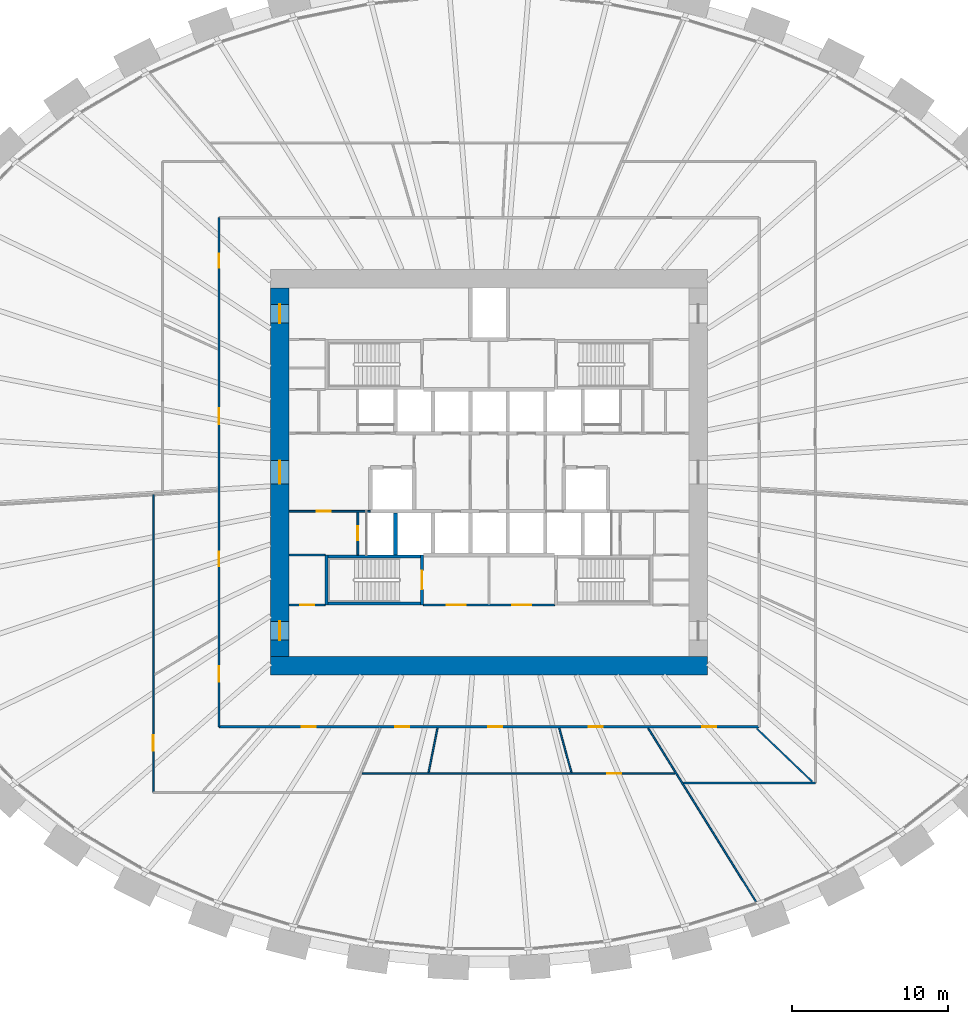
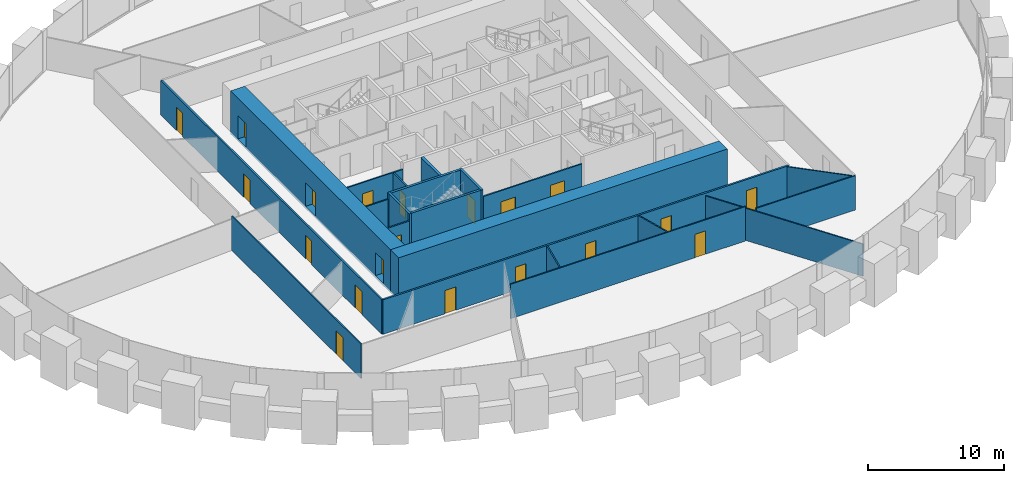
# One storey, part 6 of 10: 21 walls, 20 doors, 20 openings.
"""IFC4 building model written with IfcOpenShell, lengths in metres."""

import ifcopenshell
import ifcopenshell.guid

model = None  # the IFC model being written
_history = None  # IfcOwnerHistory: only IFC2X3 demands one
_inside = {}  # id of a spatial element -> (the spatial element, [elements in it])
_under = {}  # id of a project, library or spatial element -> (it, [spatial elements below it])
_declared = {}  # id of a project -> (the project, [libraries it declares])
_typed = {}  # id of a type object -> (the type object, [elements of that type])
_made_of = {}  # id of a material, layer set ... -> (it, [elements and type objects made of it])


def new_model(schema):
    """Start an empty IFC model of exactly this schema.

    Asked for "IFC4X3", IfcOpenShell would pick the latest addendum, in which some entities
    have other attributes; the version numbers below select the first issue.
    IFC2X3 requires an IfcOwnerHistory on every rooted entity: one is made here for all.
    """
    global model, _history
    if schema == "IFC4X3":
        model = ifcopenshell.file(schema_version=(4, 3, 0, 0))
    else:
        model = ifcopenshell.file(schema=schema)
    _inside.clear()
    _under.clear()
    _declared.clear()
    _typed.clear()
    _made_of.clear()
    _history = None
    if model.schema == "IFC2X3":
        org = make("IfcOrganization", Name="unknown")
        user = make(
            "IfcPersonAndOrganization",
            ThePerson=make("IfcPerson", FamilyName="unknown"),
            TheOrganization=org,
        )
        app = make(
            "IfcApplication",
            ApplicationDeveloper=org,
            Version="unknown",
            ApplicationFullName="unknown",
            ApplicationIdentifier="unknown",
        )
        _history = make(
            "IfcOwnerHistory",
            OwningUser=user,
            OwningApplication=app,
            ChangeAction="ADDED",
            CreationDate=0,
        )
    return model


def make(cls, **values):
    """One entity of the class cls with the attributes given. An attribute that is None is left unset."""
    return model.create_entity(
        cls, **{name: value for name, value in values.items() if value is not None}
    )


def rooted(cls, **values):
    """An entity with a GlobalId (a new one), such as an element, a storey or a relation."""
    return make(cls, GlobalId=ifcopenshell.guid.new(), OwnerHistory=_history, **values)


def si_unit(unit_type, name, prefix=None):
    """IfcSIUnit, for example si_unit("LENGTHUNIT", "METRE", prefix="MILLI")."""
    return make("IfcSIUnit", UnitType=unit_type, Prefix=prefix, Name=name)


def assignment(units):
    """IfcUnitAssignment: the units of a project."""
    return None if units is None else make("IfcUnitAssignment", Units=units)


def point(xyz):
    """IfcCartesianPoint."""
    return None if xyz is None else make("IfcCartesianPoint", Coordinates=xyz)


def direction(xyz):
    """IfcDirection."""
    return None if xyz is None else make("IfcDirection", DirectionRatios=xyz)


def frame(location, z_axis=None, x_axis=None):
    """IfcAxis2Placement3D, a coordinate frame: its origin and axes. An axis left out is left unset."""
    return make(
        "IfcAxis2Placement3D",
        Location=point(location),
        Axis=direction(z_axis),
        RefDirection=direction(x_axis),
    )


def frame_2d(location, x_axis=None):
    """IfcAxis2Placement2D, a coordinate frame in the plane: its origin and x axis."""
    return make(
        "IfcAxis2Placement2D", Location=point(location), RefDirection=direction(x_axis)
    )


def origin():
    """The frame at (0, 0, 0) with its axes left unset."""
    return frame((0.0, 0.0, 0.0))


def place(relative_to, where):
    """IfcLocalPlacement: puts the frame where relative to a parent placement (None: the world)."""
    return make(
        "IfcLocalPlacement", PlacementRelTo=relative_to, RelativePlacement=where
    )


def context(
    kind, dimensions, precision=None, world=None, true_north=None, identifier=None
):
    """IfcGeometricRepresentationContext, for example the 3D "Model" context."""
    return make(
        "IfcGeometricRepresentationContext",
        ContextIdentifier=identifier,
        ContextType=kind,
        CoordinateSpaceDimension=dimensions,
        Precision=precision,
        WorldCoordinateSystem=world,
        TrueNorth=true_north,
    )


def subcontext(parent, identifier, kind, view, scale=None):
    """IfcGeometricRepresentationSubContext, for example "Body" below "Model"."""
    return make(
        "IfcGeometricRepresentationSubContext",
        ContextIdentifier=identifier,
        ContextType=kind,
        ParentContext=parent,
        TargetScale=scale,
        TargetView=view,
    )


def project(units=None, contexts=None):
    """IfcProject with its units and contexts."""
    return rooted(
        "IfcProject",
        Name="project",
        RepresentationContexts=contexts,
        UnitsInContext=assignment(units),
    )


def spatial(cls, under=None, at=None, **own):
    """A site, building, storey or space (cls), placed at a placement, below another one or the project."""
    s = rooted(cls, ObjectPlacement=at, **own)
    if under is not None:
        _under.setdefault(under.id(), (under, []))[1].append(s)
    return s


def profile(cls, at=None, kind="AREA", **sizes):
    """A parametric profile (cls). Its sizes go by their IFC names, for example OverallWidth=200.0."""
    return make(cls, ProfileType=kind, Position=at, **sizes)


def rectangle(**sizes):
    """IfcRectangleProfileDef."""
    return profile("IfcRectangleProfileDef", **sizes)


def extrude(swept, where, along, depth):
    """IfcExtrudedAreaSolid: the profile swept, set in the frame where, extruded along a direction by depth."""
    return make(
        "IfcExtrudedAreaSolid",
        SweptArea=swept,
        Position=where,
        ExtrudedDirection=direction(along),
        Depth=depth,
    )


def shape(context_of_items, identifier, shape_type, items):
    """IfcShapeRepresentation: the items that make up one representation, for example the "Body"."""
    return make(
        "IfcShapeRepresentation",
        ContextOfItems=context_of_items,
        RepresentationIdentifier=identifier,
        RepresentationType=shape_type,
        Items=items,
    )


def source(mapping_origin, context_of_items, identifier, shape_type, items):
    """IfcRepresentationMap: a shape defined once, which mapped items show again and again."""
    return make(
        "IfcRepresentationMap",
        MappingOrigin=mapping_origin,
        MappedRepresentation=shape(context_of_items, identifier, shape_type, items),
    )


def transform(
    local_origin,
    x_axis=None,
    y_axis=None,
    z_axis=None,
    scale=None,
    scale2=None,
    scale3=None,
    uniform=True,
):
    """IfcCartesianTransformationOperator3D, or its non-uniform kind. x_axis, y_axis, z_axis: its Axis1, 2, 3."""
    if uniform:
        return make(
            "IfcCartesianTransformationOperator3D",
            Axis1=direction(x_axis),
            Axis2=direction(y_axis),
            LocalOrigin=point(local_origin),
            Scale=scale,
            Axis3=direction(z_axis),
        )
    return make(
        "IfcCartesianTransformationOperator3DnonUniform",
        Axis1=direction(x_axis),
        Axis2=direction(y_axis),
        LocalOrigin=point(local_origin),
        Scale=scale,
        Axis3=direction(z_axis),
        Scale2=scale2,
        Scale3=scale3,
    )


def mapped(mapping_source, mapping_target):
    """IfcMappedItem: shows the shape of a source again, moved by a transform."""
    return make(
        "IfcMappedItem", MappingSource=mapping_source, MappingTarget=mapping_target
    )


def material(Name=None, Category=None):
    """IfcMaterial."""
    return make("IfcMaterial", Name=Name, Category=Category)


def layer(
    of_material, thickness, ventilated=None, Name=None, Category=None, Priority=None
):
    """IfcMaterialLayer: one layer of a wall or slab, of a material (None: an air gap)."""
    return make(
        "IfcMaterialLayer",
        Material=of_material,
        LayerThickness=thickness,
        IsVentilated=ventilated,
        Name=Name,
        Category=Category,
        Priority=Priority,
    )


def layer_set(layers, Name=None):
    """IfcMaterialLayerSet."""
    return make("IfcMaterialLayerSet", MaterialLayers=layers, LayerSetName=Name)


def made_of(thing, what):
    """Note that an element or type object is made of a material, layer set ...; save() writes the relation."""
    if what is not None:
        _made_of.setdefault(what.id(), (what, []))[1].append(thing)
    return thing


def type_object(cls, material=None, **own):
    """A type object (cls), such as IfcWallType, which elements share."""
    return made_of(rooted(cls, **own), material)


def element(
    cls,
    number,
    at=None,
    inside=None,
    cuts=None,
    type_object=None,
    material=None,
    context=None,
    identifier="Body",
    shape_type=None,
    held_by="IfcProductDefinitionShape",
    body=None,
    shapes=None,
    **own,
):
    """One element of the class cls, such as IfcWall. Its Tag is "e" and its number.

    at: its placement. inside: the storey or other place that contains it. cuts: it is an
    opening in that element (IfcRelVoidsElement). A single representation is given by context,
    identifier, shape_type and body (its items); several are given by shapes. held_by: the class
    of the entity that holds the representations. save() writes the other relations.
    """
    e = rooted(cls, Tag="e%d" % number, ObjectPlacement=at, **own)
    if body is not None:
        shapes = [shape(context, identifier, shape_type, body)]
    if shapes is not None:
        e.Representation = make(held_by, Representations=shapes)
    if inside is not None:
        _inside.setdefault(inside.id(), (inside, []))[1].append(e)
    if cuts is not None:
        rooted(
            "IfcRelVoidsElement", RelatingBuildingElement=cuts, RelatedOpeningElement=e
        )
    if type_object is not None:
        _typed.setdefault(type_object.id(), (type_object, []))[1].append(e)
    return made_of(e, material)


def fill(opening, filler):
    """IfcRelFillsElement: the door or window that sits in an opening."""
    return rooted(
        "IfcRelFillsElement",
        RelatingOpeningElement=opening,
        RelatedBuildingElement=filler,
    )


def aggregate(whole, parts):
    """IfcRelAggregates: a whole, such as a stair, and the parts it consists of."""
    return rooted("IfcRelAggregates", RelatingObject=whole, RelatedObjects=parts)


def save(model, path):
    """Write the relations noted so far, then the file.

    IfcRelAggregates (storeys below a building ...), IfcRelContainedInSpatialStructure (elements
    in a storey), IfcRelDefinesByType, IfcRelAssociatesMaterial and IfcRelDeclares: one each for
    every whole, place, type object, material and project.
    """
    for whole, parts in _under.values():
        aggregate(whole, parts)
    for where, things in _inside.values():
        rooted(
            "IfcRelContainedInSpatialStructure",
            RelatedElements=things,
            RelatingStructure=where,
        )
    for kind, things in _typed.values():
        rooted("IfcRelDefinesByType", RelatedObjects=things, RelatingType=kind)
    for what, things in _made_of.values():
        rooted("IfcRelAssociatesMaterial", RelatedObjects=things, RelatingMaterial=what)
    for by, libraries in _declared.values():
        rooted("IfcRelDeclares", RelatingContext=by, RelatedDefinitions=libraries)
    model.write(path)


model = new_model("IFC4")

# Units and contexts
model_context = context("Model", 3, precision=1e-05, world=origin(), true_north=direction((0.0, 1.0)))
body_context = subcontext(model_context, "Body", "Model", "MODEL_VIEW")
ifc_project = project(units=[si_unit("LENGTHUNIT", "METRE"), si_unit("AREAUNIT", "SQUARE_METRE"), si_unit("VOLUMEUNIT", "CUBIC_METRE"), si_unit("PLANEANGLEUNIT", "RADIAN"), si_unit("MASSUNIT", "GRAM", prefix="KILO")], contexts=[model_context])

# Site, building, storey
site_placement = place(None, origin())
site = spatial("IfcSite", under=ifc_project, at=site_placement, CompositionType="ELEMENT")
building_placement = place(site_placement, origin())
building = spatial("IfcBuilding", under=site, at=building_placement, Name="Embergate Tower", CompositionType="ELEMENT")
storey_placement = place(building_placement, frame((0.0, 0.0, 81.5)))
storey = spatial("IfcBuildingStorey", under=building, at=storey_placement, Name="L16", CompositionType="ELEMENT", Elevation=81.5)

# Wall
ifc_material_1 = material(Name="Concrete C80", Category="concrete")
ifc_layer_1 = layer(ifc_material_1, 1.199951171875)
ifc_layer_set_1 = layer_set([ifc_layer_1], Name="Concrete C80")
wall_type_1 = type_object("IfcWallType", Name="Core outer wall C80 1200", PredefinedType="SHEAR", material=ifc_layer_set_1)
shared_shape_1 = source(origin(), body_context, "Body", "SweptSolid", [
    extrude(rectangle(XDim=28.0, YDim=1.199951171875, at=frame_2d((14.0, 0.0))), origin(), (0.0, 0.0, 1.0), 3.89990234375),
])
wall_1_placement = place(storey_placement, frame((-14.0, -12.39990234375, -0.199951171875), z_axis=(0.0, 0.0, 1.0), x_axis=(1.0, 0.0, 0.0)))
element("IfcWall", 1, at=wall_1_placement, inside=storey, type_object=wall_type_1, Name="CW-L16-S", PredefinedType="SHEAR", context=body_context, shape_type="MappedRepresentation", body=[
    mapped(shared_shape_1, transform((0.0, 0.0, 0.0))),
])

# Wall, openings, doors
shared_shape_2 = source(origin(), body_context, "Body", "SweptSolid", [
    extrude(rectangle(XDim=23.60009765625, YDim=1.199951171875, at=frame_2d((11.800048828125, 0.0))), origin(), (0.0, 0.0, 1.0), 3.89990234375),
])
wall_2_placement = place(storey_placement, frame((-13.39990234375, -11.800048828125, -0.199951171875), z_axis=(0.0, 0.0, 1.0), x_axis=(0.0, 1.0, 0.0)))
wall_2 = element("IfcWall", 2, at=wall_2_placement, inside=storey, type_object=wall_type_1, Name="CW-L16-W", PredefinedType="SHEAR", context=body_context, shape_type="MappedRepresentation", body=[
    mapped(shared_shape_2, transform((0.0, 0.0, 0.0))),
])
shared_shape_3 = source(origin(), body_context, "Body", "SweptSolid", [
    extrude(rectangle(XDim=1.199951171875, YDim=2.10009765625, at=frame_2d((0.60009765625, 1.050048828125))), frame((0.0, 0.60986328125, 0.0), z_axis=(0.0, -1.0, 0.0), x_axis=(1.0, 0.0, 0.0)), (0.0, 0.0, 1.0), 1.219970703125),
])
opening_1_placement = place(wall_2_placement, frame((21.35009765625, 0.0, 0.199951171875)))
opening_1 = element("IfcOpeningElement", 3, at=opening_1_placement, cuts=wall_2, Name="Opening IF-1", PredefinedType="OPENING", context=body_context, shape_type="MappedRepresentation", body=[
    mapped(shared_shape_3, transform((0.0, 0.0, 0.0))),
])
opening_2_placement = place(wall_2_placement, frame((1.050048828125, 0.0, 0.199951171875)))
opening_2 = element("IfcOpeningElement", 4, at=opening_2_placement, cuts=wall_2, Name="Opening IF-1", PredefinedType="OPENING", context=body_context, shape_type="MappedRepresentation", body=[
    mapped(shared_shape_3, transform((0.0, 0.0, 0.0))),
])
shared_shape_4 = source(origin(), body_context, "Body", "SweptSolid", [
    extrude(rectangle(XDim=1.5, YDim=2.10009765625, at=frame_2d((0.75, 1.050048828125))), frame((0.0, 0.60986328125, 0.0), z_axis=(0.0, -1.0, 0.0), x_axis=(1.0, 0.0, 0.0)), (0.0, 0.0, 1.0), 1.219970703125),
])
opening_3_placement = place(wall_2_placement, frame((11.050048828125, 0.0, 0.199951171875)))
opening_3 = element("IfcOpeningElement", 5, at=opening_3_placement, cuts=wall_2, Name="Opening IF-3", PredefinedType="OPENING", context=body_context, shape_type="MappedRepresentation", body=[
    mapped(shared_shape_4, transform((0.0, 0.0, 0.0))),
])
ifc_material_2 = material(Name="Escape fire door 1200")
door_type_1 = type_object("IfcDoorType", Name="Escape fire door 1200", OperationType="SINGLE_SWING_LEFT", PredefinedType="DOOR", material=ifc_material_2)
shared_shape_5 = source(origin(), body_context, "Body", "SweptSolid", [
    extrude(rectangle(XDim=1.199951171875, YDim=2.10009765625, at=frame_2d((0.60009765625, 1.050048828125))), frame((0.0, 0.02490234375, 0.0), z_axis=(0.0, -1.0, 0.0), x_axis=(1.0, 0.0, 0.0)), (0.0, 0.0, 1.0), 0.050048828125),
])
door_1_placement = place(opening_1_placement, origin())
door_1 = element("IfcDoor", 6, at=door_1_placement, inside=storey, type_object=door_type_1, Name="IF-1 door", OperationType="SINGLE_SWING_LEFT", OverallHeight=2.10009765625, OverallWidth=1.199951171875, PredefinedType="DOOR", context=body_context, shape_type="MappedRepresentation", body=[
    mapped(shared_shape_5, transform((0.0, 0.0, 0.0))),
])
fill(opening_1, door_1)
door_2_placement = place(opening_2_placement, origin())
door_2 = element("IfcDoor", 7, at=door_2_placement, inside=storey, type_object=door_type_1, Name="IF-1 door", OperationType="SINGLE_SWING_LEFT", OverallHeight=2.10009765625, OverallWidth=1.199951171875, PredefinedType="DOOR", context=body_context, shape_type="MappedRepresentation", body=[
    mapped(shared_shape_5, transform((0.0, 0.0, 0.0))),
])
fill(opening_2, door_2)
ifc_material_3 = material(Name="Lobby fire door pair 1500")
door_type_2 = type_object("IfcDoorType", Name="Lobby fire door pair 1500", OperationType="DOUBLE_DOOR_SINGLE_SWING", PredefinedType="DOOR", material=ifc_material_3)
shared_shape_6 = source(origin(), body_context, "Body", "SweptSolid", [
    extrude(rectangle(XDim=1.5, YDim=2.10009765625, at=frame_2d((0.75, 1.050048828125))), frame((0.0, 0.02490234375, 0.0), z_axis=(0.0, -1.0, 0.0), x_axis=(1.0, 0.0, 0.0)), (0.0, 0.0, 1.0), 0.050048828125),
])
door_3_placement = place(opening_3_placement, origin())
door_3 = element("IfcDoor", 8, at=door_3_placement, inside=storey, type_object=door_type_2, Name="IF-3 door", OperationType="DOUBLE_DOOR_SINGLE_SWING", OverallHeight=2.10009765625, OverallWidth=1.5, PredefinedType="DOOR", context=body_context, shape_type="MappedRepresentation", body=[
    mapped(shared_shape_6, transform((0.0, 0.0, 0.0))),
])
fill(opening_3, door_3)

# Walls
ifc_material_4 = material(Name="Concrete C50", Category="concrete")
ifc_layer_2 = layer(ifc_material_4, 0.25)
ifc_layer_set_2 = layer_set([ifc_layer_2], Name="Concrete C50")
wall_type_2 = type_object("IfcWallType", Name="Hoistway wall reinforced concrete 250", PredefinedType="SHEAR", material=ifc_layer_set_2)
shared_shape_7 = source(origin(), body_context, "Body", "SweptSolid", [
    extrude(rectangle(XDim=2.675048828125, YDim=0.25, at=frame_2d((1.33740234375, 0.0))), origin(), (0.0, 0.0, 1.0), 3.699951171875),
])
wall_3_placement = place(storey_placement, frame((-6.0, -5.300048828125, 0.0), z_axis=(0.0, 0.0, 1.0), x_axis=(0.0, 1.0, 0.0)))
element("IfcWall", 9, at=wall_3_placement, inside=storey, type_object=wall_type_2, Name="HW-1 wall", PredefinedType="SHEAR", context=body_context, shape_type="MappedRepresentation", body=[
    mapped(shared_shape_7, transform((0.0, 0.0, 0.0))),
])
ifc_layer_3 = layer(ifc_material_4, 0.199951171875)
ifc_layer_set_3 = layer_set([ifc_layer_3], Name="Concrete C50")
wall_type_3 = type_object("IfcWallType", Name="Stair enclosure wall reinforced concrete 250", PredefinedType="SHEAR", material=ifc_layer_set_3)
shared_shape_8 = source(origin(), body_context, "Body", "SweptSolid", [
    extrude(rectangle(XDim=6.300048828125, YDim=0.199951171875, at=frame_2d((3.14990234375, 0.0))), origin(), (0.0, 0.0, 1.0), 3.699951171875),
])
for number, where, z_axis, x_axis, name in (
    (10, (-10.5, -5.39990234375, 0.0), (0.0, 0.0, 1.0), (1.0, 0.0, 0.0), "SE-1 wall"),
    (11, (-10.5, -8.39990234375, 0.0), (0.0, 0.0, 1.0), (1.0, 0.0, 0.0), "SE-1 wall"),
):
    element("IfcWall", number, at=place(storey_placement, frame(where, z_axis=z_axis, x_axis=x_axis)), inside=storey, type_object=wall_type_3, Name=name, PredefinedType="SHEAR", context=body_context, shape_type="MappedRepresentation", body=[
        mapped(shared_shape_8, transform((0.0, 0.0, 0.0))),
    ])

# Wall, opening, door
ifc_material_5 = material(Name="Core partition blockwork 120")
ifc_layer_4 = layer(ifc_material_5, 0.1201171875)
ifc_layer_set_4 = layer_set([ifc_layer_4], Name="Core partition blockwork 120")
wall_type_4 = type_object("IfcWallType", Name="Core partition blockwork 120", PredefinedType="PARTITIONING", material=ifc_layer_set_4)
shared_shape_9 = source(origin(), body_context, "Body", "SweptSolid", [
    extrude(rectangle(XDim=2.739990234375, YDim=0.1201171875, at=frame_2d((1.3701171875, 0.0))), origin(), (0.0, 0.0, 1.0), 3.10009765625),
])
wall_4_placement = place(storey_placement, frame((-8.39990234375, -2.56005859375, 0.0), z_axis=(0.0, 0.0, 1.0), x_axis=(0.0, -1.0, 0.0)))
wall_4 = element("IfcWall", 12, at=wall_4_placement, inside=storey, type_object=wall_type_4, Name="IP-3 wall", PredefinedType="PARTITIONING", context=body_context, shape_type="MappedRepresentation", body=[
    mapped(shared_shape_9, transform((0.0, 0.0, 0.0))),
])
shared_shape_10 = source(origin(), body_context, "Body", "SweptSolid", [
    extrude(rectangle(XDim=0.89990234375, YDim=2.10009765625, at=frame_2d((0.449951171875, 1.050048828125))), frame((0.0, 0.070068359375, 0.0), z_axis=(0.0, -1.0, 0.0), x_axis=(1.0, 0.0, 0.0)), (0.0, 0.0, 1.0), 0.14013671875),
])
opening_4_placement = place(wall_4_placement, frame((0.889892578125, 0.0, 0.0)))
opening_4 = element("IfcOpeningElement", 13, at=opening_4_placement, cuts=wall_4, Name="Opening ID-1", PredefinedType="OPENING", context=body_context, shape_type="MappedRepresentation", body=[
    mapped(shared_shape_10, transform((0.0, 0.0, 0.0))),
])
ifc_material_6 = material(Name="Interior door 900")
door_type_3 = type_object("IfcDoorType", Name="Interior door 900", OperationType="SINGLE_SWING_LEFT", PredefinedType="DOOR", material=ifc_material_6)
shared_shape_11 = source(origin(), body_context, "Body", "SweptSolid", [
    extrude(rectangle(XDim=0.89990234375, YDim=2.10009765625, at=frame_2d((0.449951171875, 1.050048828125))), frame((0.0, 0.02490234375, 0.0), z_axis=(0.0, -1.0, 0.0), x_axis=(1.0, 0.0, 0.0)), (0.0, 0.0, 1.0), 0.050048828125),
])
door_4_placement = place(opening_4_placement, origin())
door_4 = element("IfcDoor", 14, at=door_4_placement, inside=storey, type_object=door_type_3, Name="ID-1 door", OperationType="SINGLE_SWING_RIGHT", OverallHeight=2.10009765625, OverallWidth=0.89990234375, PredefinedType="DOOR", context=body_context, shape_type="MappedRepresentation", body=[
    mapped(shared_shape_11, transform((0.0, 0.0, 0.0))),
])
fill(opening_4, door_4)

shared_shape_12 = source(origin(), body_context, "Body", "SweptSolid", [
    extrude(rectangle(XDim=5.199951171875, YDim=0.1201171875, at=frame_2d((2.60009765625, 0.0))), origin(), (0.0, 0.0, 1.0), 3.10009765625),
])
wall_5_placement = place(storey_placement, frame((-7.60009765625, -2.5, 0.0), z_axis=(0.0, 0.0, 1.0), x_axis=(-1.0, 0.0, 0.0)))
wall_5 = element("IfcWall", 15, at=wall_5_placement, inside=storey, type_object=wall_type_4, Name="IP-3 wall", PredefinedType="PARTITIONING", context=body_context, shape_type="MappedRepresentation", body=[
    mapped(shared_shape_12, transform((0.0, 0.0, 0.0))),
])
opening_5_placement = place(wall_5_placement, frame((2.550048828125, 0.0, 0.0)))
opening_5 = element("IfcOpeningElement", 16, at=opening_5_placement, cuts=wall_5, Name="Opening ID-1", PredefinedType="OPENING", context=body_context, shape_type="MappedRepresentation", body=[
    mapped(shared_shape_10, transform((0.0, 0.0, 0.0))),
])
door_5_placement = place(opening_5_placement, origin())
door_5 = element("IfcDoor", 17, at=door_5_placement, inside=storey, type_object=door_type_3, Name="ID-1 door", OperationType="SINGLE_SWING_RIGHT", OverallHeight=2.10009765625, OverallWidth=0.89990234375, PredefinedType="DOOR", context=body_context, shape_type="MappedRepresentation", body=[
    mapped(shared_shape_11, transform((0.0, 0.0, 0.0))),
])
fill(opening_5, door_5)

shared_shape_13 = source(origin(), body_context, "Body", "SweptSolid", [
    extrude(rectangle(XDim=3.199951171875, YDim=0.199951171875, at=frame_2d((1.60009765625, 0.0))), origin(), (0.0, 0.0, 1.0), 3.699951171875),
])
wall_6_placement = place(storey_placement, frame((-4.300048828125, -8.5, 0.0), z_axis=(0.0, 0.0, 1.0), x_axis=(0.0, 1.0, 0.0)))
wall_6 = element("IfcWall", 18, at=wall_6_placement, inside=storey, type_object=wall_type_3, Name="SE-1 wall", PredefinedType="SHEAR", context=body_context, shape_type="MappedRepresentation", body=[
    mapped(shared_shape_13, transform((0.0, 0.0, 0.0))),
])
shared_shape_14 = source(origin(), body_context, "Body", "SweptSolid", [
    extrude(rectangle(XDim=1.199951171875, YDim=2.10009765625, at=frame_2d((0.60009765625, 1.050048828125))), frame((0.0, 0.10986328125, 0.0), z_axis=(0.0, -1.0, 0.0), x_axis=(1.0, 0.0, 0.0)), (0.0, 0.0, 1.0), 0.219970703125),
])
opening_6_placement = place(wall_6_placement, frame((1.0, 0.0, 0.0)))
opening_6 = element("IfcOpeningElement", 19, at=opening_6_placement, cuts=wall_6, Name="Opening IF-2", PredefinedType="OPENING", context=body_context, shape_type="MappedRepresentation", body=[
    mapped(shared_shape_14, transform((0.0, 0.0, 0.0))),
])
ifc_material_7 = material(Name="Stair enclosure door 1200")
door_type_4 = type_object("IfcDoorType", Name="Stair enclosure door 1200", OperationType="SINGLE_SWING_LEFT", PredefinedType="DOOR", material=ifc_material_7)
door_6_placement = place(opening_6_placement, origin())
door_6 = element("IfcDoor", 20, at=door_6_placement, inside=storey, type_object=door_type_4, Name="IF-2 door", OperationType="SINGLE_SWING_LEFT", OverallHeight=2.10009765625, OverallWidth=1.199951171875, PredefinedType="DOOR", context=body_context, shape_type="MappedRepresentation", body=[
    mapped(shared_shape_5, transform((0.0, 0.0, 0.0))),
])
fill(opening_6, door_6)

# Wall
wall_7_placement = place(storey_placement, frame((-10.39990234375, -5.300048828125, 0.0), z_axis=(0.0, 0.0, 1.0), x_axis=(0.0, -1.0, 0.0)))
element("IfcWall", 21, at=wall_7_placement, inside=storey, type_object=wall_type_3, Name="SE-1 wall", PredefinedType="SHEAR", context=body_context, shape_type="MappedRepresentation", body=[
    mapped(shared_shape_13, transform((0.0, 0.0, 0.0))),
])

# Wall, openings, doors
shared_shape_15 = source(origin(), body_context, "Body", "SweptSolid", [
    extrude(rectangle(XDim=8.39990234375, YDim=0.1201171875, at=frame_2d((4.199951171875, 0.0))), origin(), (0.0, 0.0, 1.0), 3.10009765625),
])
wall_8_placement = place(storey_placement, frame((-4.199951171875, -8.5, 0.0), z_axis=(0.0, 0.0, 1.0), x_axis=(1.0, 0.0, 0.0)))
wall_8 = element("IfcWall", 22, at=wall_8_placement, inside=storey, type_object=wall_type_4, Name="IP-3 wall", PredefinedType="PARTITIONING", context=body_context, shape_type="MappedRepresentation", body=[
    mapped(shared_shape_15, transform((0.0, 0.0, 0.0))),
])
shared_shape_16 = source(origin(), body_context, "Body", "SweptSolid", [
    extrude(rectangle(XDim=1.199951171875, YDim=2.10009765625, at=frame_2d((0.60009765625, 1.050048828125))), frame((0.0, 0.070068359375, 0.0), z_axis=(0.0, -1.0, 0.0), x_axis=(1.0, 0.0, 0.0)), (0.0, 0.0, 1.0), 0.14013671875),
])
opening_7_placement = place(wall_8_placement, frame((1.5, 0.0, 0.0)))
opening_7 = element("IfcOpeningElement", 23, at=opening_7_placement, cuts=wall_8, Name="Opening IF-3f", PredefinedType="OPENING", context=body_context, shape_type="MappedRepresentation", body=[
    mapped(shared_shape_16, transform((0.0, 0.0, 0.0))),
])
opening_8_placement = place(wall_8_placement, frame((5.699951171875, 0.0, 0.0)))
opening_8 = element("IfcOpeningElement", 24, at=opening_8_placement, cuts=wall_8, Name="Opening IF-3f", PredefinedType="OPENING", context=body_context, shape_type="MappedRepresentation", body=[
    mapped(shared_shape_16, transform((0.0, 0.0, 0.0))),
])
ifc_material_8 = material(Name="Lobby fire door pair 1200")
door_type_5 = type_object("IfcDoorType", Name="Lobby fire door pair 1200", OperationType="DOUBLE_DOOR_SINGLE_SWING", PredefinedType="DOOR", material=ifc_material_8)
door_7_placement = place(opening_7_placement, origin())
door_7 = element("IfcDoor", 25, at=door_7_placement, inside=storey, type_object=door_type_5, Name="IF-3 door", OperationType="DOUBLE_DOOR_SINGLE_SWING", OverallHeight=2.10009765625, OverallWidth=1.199951171875, PredefinedType="DOOR", context=body_context, shape_type="MappedRepresentation", body=[
    mapped(shared_shape_5, transform((0.0, 0.0, 0.0))),
])
fill(opening_7, door_7)
door_8_placement = place(opening_8_placement, origin())
door_8 = element("IfcDoor", 26, at=door_8_placement, inside=storey, type_object=door_type_5, Name="IF-3 door", OperationType="DOUBLE_DOOR_SINGLE_SWING", OverallHeight=2.10009765625, OverallWidth=1.199951171875, PredefinedType="DOOR", context=body_context, shape_type="MappedRepresentation", body=[
    mapped(shared_shape_5, transform((0.0, 0.0, 0.0))),
])
fill(opening_8, door_8)

# Wall, opening, door
shared_shape_17 = source(origin(), body_context, "Body", "SweptSolid", [
    extrude(rectangle(XDim=2.300048828125, YDim=0.1201171875, at=frame_2d((1.14990234375, 0.0))), origin(), (0.0, 0.0, 1.0), 3.10009765625),
])
wall_9_placement = place(storey_placement, frame((-10.5, -8.5, 0.0), z_axis=(0.0, 0.0, 1.0), x_axis=(-1.0, 0.0, 0.0)))
wall_9 = element("IfcWall", 27, at=wall_9_placement, inside=storey, type_object=wall_type_4, Name="IP-3 wall", PredefinedType="PARTITIONING", context=body_context, shape_type="MappedRepresentation", body=[
    mapped(shared_shape_17, transform((0.0, 0.0, 0.0))),
])
opening_9_placement = place(wall_9_placement, frame((0.699951171875, 0.0, 0.0)))
opening_9 = element("IfcOpeningElement", 28, at=opening_9_placement, cuts=wall_9, Name="Opening ID-1", PredefinedType="OPENING", context=body_context, shape_type="MappedRepresentation", body=[
    mapped(shared_shape_10, transform((0.0, 0.0, 0.0))),
])
door_9_placement = place(opening_9_placement, origin())
door_9 = element("IfcDoor", 29, at=door_9_placement, inside=storey, type_object=door_type_3, Name="ID-1 door", OperationType="SINGLE_SWING_LEFT", OverallHeight=2.10009765625, OverallWidth=0.89990234375, PredefinedType="DOOR", context=body_context, shape_type="MappedRepresentation", body=[
    mapped(shared_shape_11, transform((0.0, 0.0, 0.0))),
])
fill(opening_9, door_9)

# Wall
wall_10_placement = place(storey_placement, frame((-12.800048828125, -5.300048828125, 0.0), z_axis=(0.0, 0.0, 1.0), x_axis=(1.0, 0.0, 0.0)))
element("IfcWall", 30, at=wall_10_placement, inside=storey, type_object=wall_type_4, Name="IP-3 wall", PredefinedType="PARTITIONING", context=body_context, shape_type="MappedRepresentation", body=[
    mapped(shared_shape_17, transform((0.0, 0.0, 0.0))),
])

# Wall, openings, doors
ifc_material_9 = material(Name="Corridor wall dry-lined 150")
ifc_layer_5 = layer(ifc_material_9, 0.14990234375)
ifc_layer_set_5 = layer_set([ifc_layer_5], Name="Corridor wall dry-lined 150")
wall_type_5 = type_object("IfcWallType", Name="Corridor wall dry-lined 150", PredefinedType="PARTITIONING", material=ifc_layer_set_5)
shared_shape_18 = source(origin(), body_context, "Body", "SweptSolid", [
    extrude(rectangle(XDim=32.60009765625, YDim=0.14990234375, at=frame_2d((16.300048828125, 0.0))), origin(), (0.0, 0.0, 1.0), 3.10009765625),
])
wall_11_placement = place(storey_placement, frame((-17.300048828125, -16.300048828125, 0.0), z_axis=(0.0, 0.0, 1.0), x_axis=(0.0, 1.0, 0.0)))
wall_11 = element("IfcWall", 31, at=wall_11_placement, inside=storey, type_object=wall_type_5, Name="IP-2 wall", PredefinedType="PARTITIONING", context=body_context, shape_type="MappedRepresentation", body=[
    mapped(shared_shape_18, transform((0.0, 0.0, 0.0))),
])
shared_shape_19 = source(origin(), body_context, "Body", "SweptSolid", [
    extrude(rectangle(XDim=0.89990234375, YDim=2.10009765625, at=frame_2d((0.449951171875, 1.050048828125))), frame((0.0, 0.0849609375, 0.0), z_axis=(0.0, -1.0, 0.0), x_axis=(1.0, 0.0, 0.0)), (0.0, 0.0, 1.0), 0.169921875),
])
opening_10_placement = place(wall_11_placement, frame((10.294921875, 0.0, 0.0)))
opening_10 = element("IfcOpeningElement", 32, at=opening_10_placement, cuts=wall_11, Name="Opening IF-1c", PredefinedType="OPENING", context=body_context, shape_type="MappedRepresentation", body=[
    mapped(shared_shape_19, transform((0.0, 0.0, 0.0))),
])
shared_shape_20 = source(origin(), body_context, "Body", "SweptSolid", [
    extrude(rectangle(XDim=1.0, YDim=2.10009765625, at=frame_2d((0.5, 1.050048828125))), frame((0.0, 0.0849609375, 0.0), z_axis=(0.0, -1.0, 0.0), x_axis=(1.0, 0.0, 0.0)), (0.0, 0.0, 1.0), 0.169921875),
])
opening_11_placement = place(wall_11_placement, frame((2.882080078125, 0.0, 0.0)))
opening_11 = element("IfcOpeningElement", 33, at=opening_11_placement, cuts=wall_11, Name="Opening ID-2", PredefinedType="OPENING", context=body_context, shape_type="MappedRepresentation", body=[
    mapped(shared_shape_20, transform((0.0, 0.0, 0.0))),
])
opening_12_placement = place(wall_11_placement, frame((29.385009765625, 0.0, 0.0)))
opening_12 = element("IfcOpeningElement", 34, at=opening_12_placement, cuts=wall_11, Name="Opening IF-1c", PredefinedType="OPENING", context=body_context, shape_type="MappedRepresentation", body=[
    mapped(shared_shape_19, transform((0.0, 0.0, 0.0))),
])
opening_13_placement = place(wall_11_placement, frame((19.389892578125, 0.0, 0.0)))
opening_13 = element("IfcOpeningElement", 35, at=opening_13_placement, cuts=wall_11, Name="Opening ID-2", PredefinedType="OPENING", context=body_context, shape_type="MappedRepresentation", body=[
    mapped(shared_shape_20, transform((0.0, 0.0, 0.0))),
])
ifc_material_10 = material(Name="Escape fire door 900")
door_type_6 = type_object("IfcDoorType", Name="Escape fire door 900", OperationType="SINGLE_SWING_LEFT", PredefinedType="DOOR", material=ifc_material_10)
door_10_placement = place(opening_10_placement, origin())
door_10 = element("IfcDoor", 36, at=door_10_placement, inside=storey, type_object=door_type_6, Name="IF-1 door", OperationType="SINGLE_SWING_LEFT", OverallHeight=2.10009765625, OverallWidth=0.89990234375, PredefinedType="DOOR", context=body_context, shape_type="MappedRepresentation", body=[
    mapped(shared_shape_11, transform((0.0, 0.0, 0.0))),
])
fill(opening_10, door_10)
door_11_placement = place(opening_12_placement, origin())
door_11 = element("IfcDoor", 37, at=door_11_placement, inside=storey, type_object=door_type_6, Name="IF-1 door", OperationType="SINGLE_SWING_LEFT", OverallHeight=2.10009765625, OverallWidth=0.89990234375, PredefinedType="DOOR", context=body_context, shape_type="MappedRepresentation", body=[
    mapped(shared_shape_11, transform((0.0, 0.0, 0.0))),
])
fill(opening_12, door_11)
ifc_material_11 = material(Name="Interior door 1000")
door_type_7 = type_object("IfcDoorType", Name="Interior door 1000", OperationType="SINGLE_SWING_LEFT", PredefinedType="DOOR", material=ifc_material_11)
shared_shape_21 = source(origin(), body_context, "Body", "SweptSolid", [
    extrude(rectangle(XDim=1.0, YDim=2.10009765625, at=frame_2d((0.5, 1.050048828125))), frame((0.0, 0.02490234375, 0.0), z_axis=(0.0, -1.0, 0.0), x_axis=(1.0, 0.0, 0.0)), (0.0, 0.0, 1.0), 0.050048828125),
])
door_12_placement = place(opening_11_placement, origin())
door_12 = element("IfcDoor", 38, at=door_12_placement, inside=storey, type_object=door_type_7, Name="ID-2 door", OperationType="SINGLE_SWING_LEFT", OverallHeight=2.10009765625, OverallWidth=1.0, PredefinedType="DOOR", context=body_context, shape_type="MappedRepresentation", body=[
    mapped(shared_shape_21, transform((0.0, 0.0, 0.0))),
])
fill(opening_11, door_12)
door_13_placement = place(opening_13_placement, origin())
door_13 = element("IfcDoor", 39, at=door_13_placement, inside=storey, type_object=door_type_7, Name="ID-2 door", OperationType="SINGLE_SWING_LEFT", OverallHeight=2.10009765625, OverallWidth=1.0, PredefinedType="DOOR", context=body_context, shape_type="MappedRepresentation", body=[
    mapped(shared_shape_21, transform((0.0, 0.0, 0.0))),
])
fill(opening_13, door_13)

shared_shape_22 = source(origin(), body_context, "Body", "SweptSolid", [
    extrude(rectangle(XDim=34.60009765625, YDim=0.14990234375, at=frame_2d((17.300048828125, 0.0))), origin(), (0.0, 0.0, 1.0), 3.10009765625),
])
wall_12_placement = place(storey_placement, frame((17.300048828125, -16.300048828125, 0.0), z_axis=(0.0, 0.0, 1.0), x_axis=(-1.0, 0.0, 0.0)))
wall_12 = element("IfcWall", 40, at=wall_12_placement, inside=storey, type_object=wall_type_5, Name="IP-2 wall", PredefinedType="PARTITIONING", context=body_context, shape_type="MappedRepresentation", body=[
    mapped(shared_shape_22, transform((0.0, 0.0, 0.0))),
])
opening_14_placement = place(wall_12_placement, frame((28.383056640625, 0.0, 0.0)))
opening_14 = element("IfcOpeningElement", 41, at=opening_14_placement, cuts=wall_12, Name="Opening IF-1c", PredefinedType="OPENING", context=body_context, shape_type="MappedRepresentation", body=[
    mapped(shared_shape_19, transform((0.0, 0.0, 0.0))),
])
opening_15_placement = place(wall_12_placement, frame((22.410888671875, 0.0, 0.0)))
opening_15 = element("IfcOpeningElement", 42, at=opening_15_placement, cuts=wall_12, Name="Opening IF-1c", PredefinedType="OPENING", context=body_context, shape_type="MappedRepresentation", body=[
    mapped(shared_shape_19, transform((0.0, 0.0, 0.0))),
])
opening_16_placement = place(wall_12_placement, frame((16.443115234375, 0.0, 0.0)))
opening_16 = element("IfcOpeningElement", 43, at=opening_16_placement, cuts=wall_12, Name="Opening IF-1c", PredefinedType="OPENING", context=body_context, shape_type="MappedRepresentation", body=[
    mapped(shared_shape_19, transform((0.0, 0.0, 0.0))),
])
opening_17_placement = place(wall_12_placement, frame((10.006103515625, 0.0, 0.0)))
opening_17 = element("IfcOpeningElement", 44, at=opening_17_placement, cuts=wall_12, Name="Opening IF-1c", PredefinedType="OPENING", context=body_context, shape_type="MappedRepresentation", body=[
    mapped(shared_shape_19, transform((0.0, 0.0, 0.0))),
])
opening_18_placement = place(wall_12_placement, frame((2.73291015625, 0.0, 0.0)))
opening_18 = element("IfcOpeningElement", 45, at=opening_18_placement, cuts=wall_12, Name="Opening IF-1c", PredefinedType="OPENING", context=body_context, shape_type="MappedRepresentation", body=[
    mapped(shared_shape_19, transform((0.0, 0.0, 0.0))),
])
door_14_placement = place(opening_14_placement, origin())
door_14 = element("IfcDoor", 46, at=door_14_placement, inside=storey, type_object=door_type_6, Name="IF-1 door", OperationType="SINGLE_SWING_RIGHT", OverallHeight=2.10009765625, OverallWidth=0.89990234375, PredefinedType="DOOR", context=body_context, shape_type="MappedRepresentation", body=[
    mapped(shared_shape_11, transform((0.0, 0.0, 0.0))),
])
fill(opening_14, door_14)
door_15_placement = place(opening_15_placement, origin())
door_15 = element("IfcDoor", 47, at=door_15_placement, inside=storey, type_object=door_type_6, Name="IF-1 door", OperationType="SINGLE_SWING_RIGHT", OverallHeight=2.10009765625, OverallWidth=0.89990234375, PredefinedType="DOOR", context=body_context, shape_type="MappedRepresentation", body=[
    mapped(shared_shape_11, transform((0.0, 0.0, 0.0))),
])
fill(opening_15, door_15)
door_16_placement = place(opening_16_placement, origin())
door_16 = element("IfcDoor", 48, at=door_16_placement, inside=storey, type_object=door_type_6, Name="IF-1 door", OperationType="SINGLE_SWING_RIGHT", OverallHeight=2.10009765625, OverallWidth=0.89990234375, PredefinedType="DOOR", context=body_context, shape_type="MappedRepresentation", body=[
    mapped(shared_shape_11, transform((0.0, 0.0, 0.0))),
])
fill(opening_16, door_16)
door_17_placement = place(opening_17_placement, origin())
door_17 = element("IfcDoor", 49, at=door_17_placement, inside=storey, type_object=door_type_6, Name="IF-1 door", OperationType="SINGLE_SWING_LEFT", OverallHeight=2.10009765625, OverallWidth=0.89990234375, PredefinedType="DOOR", context=body_context, shape_type="MappedRepresentation", body=[
    mapped(shared_shape_11, transform((0.0, 0.0, 0.0))),
])
fill(opening_17, door_17)
door_18_placement = place(opening_18_placement, origin())
door_18 = element("IfcDoor", 50, at=door_18_placement, inside=storey, type_object=door_type_6, Name="IF-1 door", OperationType="SINGLE_SWING_RIGHT", OverallHeight=2.10009765625, OverallWidth=0.89990234375, PredefinedType="DOOR", context=body_context, shape_type="MappedRepresentation", body=[
    mapped(shared_shape_11, transform((0.0, 0.0, 0.0))),
])
fill(opening_18, door_18)

# Wall, opening, door
ifc_material_12 = material(Name="Partition dry-lined 100")
ifc_layer_6 = layer(ifc_material_12, 0.10009765625)
ifc_layer_set_6 = layer_set([ifc_layer_6], Name="Partition dry-lined 100")
wall_type_6 = type_object("IfcWallType", Name="Partition dry-lined 100", PredefinedType="PARTITIONING", material=ifc_layer_set_6)
shared_shape_23 = source(origin(), body_context, "Body", "SweptSolid", [
    extrude(rectangle(XDim=19.06591796875, YDim=0.10009765625, at=frame_2d((9.532958984375, 0.0))), origin(), (0.0, 0.0, 1.0), 3.10009765625),
])
wall_13_placement = place(storey_placement, frame((-21.5, -20.5, 0.0), z_axis=(0.0, 0.0, 1.0), x_axis=(0.0, 1.0, 0.0)))
wall_13 = element("IfcWall", 51, at=wall_13_placement, inside=storey, type_object=wall_type_6, Name="IP-1 wall", PredefinedType="PARTITIONING", context=body_context, shape_type="MappedRepresentation", body=[
    mapped(shared_shape_23, transform((0.0, 0.0, 0.0))),
])
shared_shape_24 = source(origin(), body_context, "Body", "SweptSolid", [
    extrude(rectangle(XDim=1.0, YDim=2.10009765625, at=frame_2d((0.5, 1.050048828125))), frame((0.0, 0.06005859375, 0.0), z_axis=(0.0, -1.0, 0.0), x_axis=(1.0, 0.0, 0.0)), (0.0, 0.0, 1.0), 0.1201171875),
])
opening_19_placement = place(wall_13_placement, frame((2.656982421875, 0.0, 0.0)))
opening_19 = element("IfcOpeningElement", 52, at=opening_19_placement, cuts=wall_13, Name="Opening ID-2", PredefinedType="OPENING", context=body_context, shape_type="MappedRepresentation", body=[
    mapped(shared_shape_24, transform((0.0, 0.0, 0.0))),
])
door_19_placement = place(opening_19_placement, origin())
door_19 = element("IfcDoor", 53, at=door_19_placement, inside=storey, type_object=door_type_7, Name="ID-2 door", OperationType="SINGLE_SWING_RIGHT", OverallHeight=2.10009765625, OverallWidth=1.0, PredefinedType="DOOR", context=body_context, shape_type="MappedRepresentation", body=[
    mapped(shared_shape_21, transform((0.0, 0.0, 0.0))),
])
fill(opening_19, door_19)

# Wall
ifc_material_13 = material(Name="Partition dry-lined 100 wet")
ifc_layer_7 = layer(ifc_material_13, 0.10009765625)
ifc_layer_set_7 = layer_set([ifc_layer_7], Name="Partition dry-lined 100 wet")
wall_type_7 = type_object("IfcWallType", Name="Partition dry-lined 100 wet", PredefinedType="PLUMBINGWALL", material=ifc_layer_set_7)
shared_shape_25 = source(origin(), body_context, "Body", "SweptSolid", [
    extrude(rectangle(XDim=2.912353515625, YDim=0.10009765625, at=frame_2d((1.4560546875, 0.0))), origin(), (0.0, 0.0, 1.0), 3.10009765625),
])
wall_14_placement = place(storey_placement, frame((-3.300048828125, -16.385009765625, 0.0), z_axis=(0.0, 0.0, 1.0), x_axis=(-0.197421788851, -0.980318640691, 0.0)))
element("IfcWall", 54, at=wall_14_placement, inside=storey, type_object=wall_type_7, Name="IP-1 wall", PredefinedType="PLUMBINGWALL", context=body_context, shape_type="MappedRepresentation", body=[
    mapped(shared_shape_25, transform((0.0, 0.0, 0.0))),
])

# Wall, opening, door
shared_shape_26 = source(origin(), body_context, "Body", "SweptSolid", [
    extrude(rectangle(XDim=20.041015625, YDim=0.10009765625, at=frame_2d((10.0205078125, 0.0))), origin(), (0.0, 0.0, 1.0), 3.10009765625),
])
wall_15_placement = place(storey_placement, frame((11.905029296875, -19.300048828125, 0.0), z_axis=(0.0, 0.0, 1.0), x_axis=(-1.0, 0.0, 0.0)))
wall_15 = element("IfcWall", 55, at=wall_15_placement, inside=storey, type_object=wall_type_7, Name="IP-1 wall", PredefinedType="PLUMBINGWALL", context=body_context, shape_type="MappedRepresentation", body=[
    mapped(shared_shape_26, transform((0.0, 0.0, 0.0))),
])
shared_shape_27 = source(origin(), body_context, "Body", "SweptSolid", [
    extrude(rectangle(XDim=0.89990234375, YDim=2.10009765625, at=frame_2d((0.449951171875, 1.050048828125))), frame((0.0, 0.06005859375, 0.0), z_axis=(0.0, -1.0, 0.0), x_axis=(1.0, 0.0, 0.0)), (0.0, 0.0, 1.0), 0.1201171875),
])
opening_20_placement = place(wall_15_placement, frame((3.434326171875, 0.0, 0.0)))
opening_20 = element("IfcOpeningElement", 56, at=opening_20_placement, cuts=wall_15, Name="Opening ID-1", PredefinedType="OPENING", context=body_context, shape_type="MappedRepresentation", body=[
    mapped(shared_shape_27, transform((0.0, 0.0, 0.0))),
])
door_20_placement = place(opening_20_placement, origin())
door_20 = element("IfcDoor", 57, at=door_20_placement, inside=storey, type_object=door_type_3, Name="ID-1 door", OperationType="SINGLE_SWING_LEFT", OverallHeight=2.10009765625, OverallWidth=0.89990234375, PredefinedType="DOOR", context=body_context, shape_type="MappedRepresentation", body=[
    mapped(shared_shape_11, transform((0.0, 0.0, 0.0))),
])
fill(opening_20, door_20)

# Walls
shared_shape_28 = source(origin(), body_context, "Body", "SweptSolid", [
    extrude(rectangle(XDim=2.954345703125, YDim=0.10009765625, at=frame_2d((1.47705078125, 0.0))), origin(), (0.0, 0.0, 1.0), 3.10009765625),
])
wall_16_placement = place(storey_placement, frame((4.49609375, -16.387939453125, 0.0), z_axis=(0.0, 0.0, 1.0), x_axis=(0.264368879158, -0.964421637943, 0.0)))
element("IfcWall", 58, at=wall_16_placement, inside=storey, type_object=wall_type_7, Name="IP-1 wall", PredefinedType="PLUMBINGWALL", context=body_context, shape_type="MappedRepresentation", body=[
    mapped(shared_shape_28, transform((0.0, 0.0, 0.0))),
])
shared_shape_29 = source(origin(), body_context, "Body", "SweptSolid", [
    extrude(rectangle(XDim=13.174072265625, YDim=0.10009765625, at=frame_2d((6.5869140625, 0.0))), origin(), (0.0, 0.0, 1.0), 2.89990234375),
])
wall_17_placement = place(storey_placement, frame((17.14794921875, -27.590087890625, 0.0), z_axis=(0.0, 0.0, 1.0), x_axis=(-0.527846691856, 0.849339666975, 0.0)))
element("IfcWall", 59, at=wall_17_placement, inside=storey, type_object=wall_type_7, Name="IP-1 wall", PredefinedType="PLUMBINGWALL", context=body_context, shape_type="MappedRepresentation", body=[
    mapped(shared_shape_29, transform((0.0, 0.0, 0.0))),
])
shared_shape_30 = source(origin(), body_context, "Body", "SweptSolid", [
    extrude(rectangle(XDim=4.92041015625, YDim=0.10009765625, at=frame_2d((2.460205078125, 0.0))), origin(), (0.0, 0.0, 1.0), 3.10009765625),
])
wall_18_placement = place(storey_placement, frame((17.14111328125, -16.410888671875, 0.0), z_axis=(0.0, 0.0, 1.0), x_axis=(0.722272150113, -0.691608951049, 0.0)))
element("IfcWall", 60, at=wall_18_placement, inside=storey, type_object=wall_type_6, Name="IP-1 wall", PredefinedType="PARTITIONING", context=body_context, shape_type="MappedRepresentation", body=[
    mapped(shared_shape_30, transform((0.0, 0.0, 0.0))),
])
shared_shape_31 = source(origin(), body_context, "Body", "SweptSolid", [
    extrude(rectangle(XDim=8.44189453125, YDim=0.10009765625, at=frame_2d((4.220947265625, 0.0))), origin(), (0.0, 0.0, 1.0), 3.10009765625),
])
wall_19_placement = place(storey_placement, frame((20.89990234375, -19.89990234375, 0.0), z_axis=(0.0, 0.0, 1.0), x_axis=(-1.0, 0.0, 0.0)))
element("IfcWall", 61, at=wall_19_placement, inside=storey, type_object=wall_type_6, Name="IP-1 wall", PredefinedType="PARTITIONING", context=body_context, shape_type="MappedRepresentation", body=[
    mapped(shared_shape_31, transform((0.0, 0.0, 0.0))),
])

save(model, "model.ifc")
